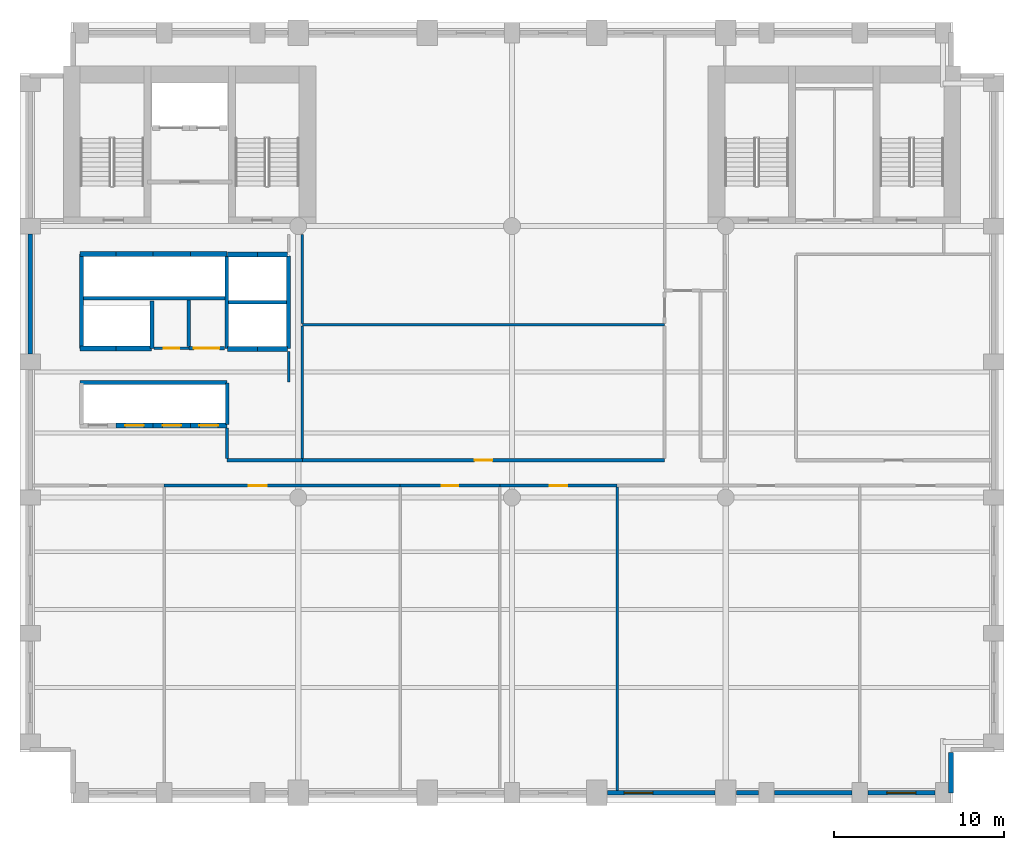
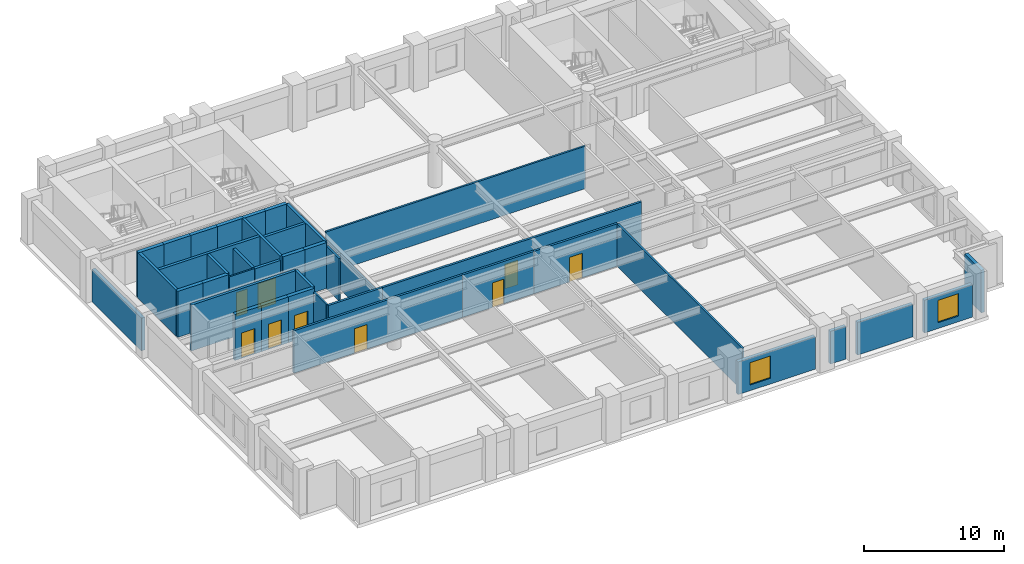
# One storey, part 3 of 8: 41 walls, 9 doors, 2 windows, 11 openings.
"""IFC4 building model written with IfcOpenShell, lengths in metres."""

from ifc_helpers import new_model, si_unit, direction, frame, frame_2d, origin, place, context, subcontext, project, spatial, rectangle, extrude, material, layer, layer_set, type_object, element, fill, save


model = new_model("IFC4")

# Units and contexts
model_context = context("Model", 3, precision=1e-05, world=origin(), true_north=direction((0.0, 1.0)))
body_context = subcontext(model_context, "Body", "Model", "MODEL_VIEW")
ifc_project = project(units=[si_unit("LENGTHUNIT", "METRE"), si_unit("AREAUNIT", "SQUARE_METRE"), si_unit("VOLUMEUNIT", "CUBIC_METRE"), si_unit("PLANEANGLEUNIT", "RADIAN"), si_unit("MASSUNIT", "GRAM", prefix="KILO")], contexts=[model_context])

# Site, building, storey
site_placement = place(None, origin())
site = spatial("IfcSite", under=ifc_project, at=site_placement, CompositionType="ELEMENT")
building_placement = place(site_placement, origin())
building = spatial("IfcBuilding", under=site, at=building_placement, Name="Sulina Concourse Tower", CompositionType="ELEMENT")
storey_placement = place(building_placement, frame((0.0, 0.0, 70.60009765625)))
storey = spatial("IfcBuildingStorey", under=building, at=storey_placement, Name="L17", CompositionType="ELEMENT", Elevation=70.60009765625)

# Walls
ifc_material_1 = material(Name="Concrete C50/60", Category="concrete")
ifc_layer_1 = layer(ifc_material_1, 0.219970703125)
ifc_layer_set_1 = layer_set([ifc_layer_1], Name="Concrete C50/60")
wall_type_1 = type_object("IfcWallType", Name="Core Lift Hoistway Divider Wall 220mm", PredefinedType="SOLIDWALL", material=ifc_layer_set_1)
wall_1_placement = place(storey_placement, frame((3.550048828125, 29.75, 0.0), z_axis=(0.0, 0.0, 1.0), x_axis=(1.0, 0.0, 0.0)))
element("IfcWall", 1, at=wall_1_placement, inside=storey, type_object=wall_type_1, Name="L17 shaft divider wall HW-LP3-S", PredefinedType="SOLIDWALL", context=body_context, shape_type="SweptSolid", body=[
    extrude(rectangle(XDim=8.64990234375, YDim=0.219970703125, at=frame_2d((4.324951171875, 0.0))), origin(), (0.0, 0.0, 1.0), 4.0),
])
wall_2_placement = place(storey_placement, frame((3.6298828125, 26.800048828125, 0.0), z_axis=(0.0, 0.0, 1.0), x_axis=(0.0, 1.0, 0.0)))
element("IfcWall", 2, at=wall_2_placement, inside=storey, type_object=wall_type_1, Name="L17 shaft divider wall HW-LP3-W", PredefinedType="SOLIDWALL", context=body_context, shape_type="SweptSolid", body=[
    extrude(rectangle(XDim=5.550048828125, YDim=0.219970703125, at=frame_2d((2.77490234375, 0.0))), origin(), (0.0, 0.0, 1.0), 4.0),
])
wall_3_placement = place(storey_placement, frame((7.780029296875, 26.800048828125, 0.0), z_axis=(0.0, 0.0, 1.0), x_axis=(0.0, 1.0, 0.0)))
element("IfcWall", 3, at=wall_3_placement, inside=storey, type_object=wall_type_1, Name="L17 shaft divider wall HW-EXP-E", PredefinedType="SOLIDWALL", context=body_context, shape_type="SweptSolid", body=[
    extrude(rectangle(XDim=2.800048828125, YDim=0.219970703125, at=frame_2d((1.39990234375, 0.0))), origin(), (0.0, 0.0, 1.0), 4.0),
])
for number, where, z_axis, x_axis, name in (
    (4, (12.179931640625, 26.800048828125, 0.0), (0.0, 0.0, 1.0), (0.0, 1.0, 0.0), "L17 shaft divider wall HW-LP2-W"),
    (5, (15.820068359375, 26.800048828125, 0.0), (0.0, 0.0, 1.0), (0.0, 1.0, 0.0), "L17 shaft divider wall HW-LP2-E"),
):
    element("IfcWall", number, at=place(storey_placement, frame(where, z_axis=z_axis, x_axis=x_axis)), inside=storey, type_object=wall_type_1, Name=name, PredefinedType="SOLIDWALL", context=body_context, shape_type="SweptSolid", body=[
        extrude(rectangle(XDim=5.449951171875, YDim=0.219970703125, at=frame_2d((2.72509765625, 0.0))), origin(), (0.0, 0.0, 1.0), 4.0),
    ])
wall_4_placement = place(storey_placement, frame((12.300048828125, 29.52001953125, 0.0), z_axis=(0.0, 0.0, 1.0), x_axis=(1.0, 0.0, 0.0)))
element("IfcWall", 6, at=wall_4_placement, inside=storey, type_object=wall_type_1, Name="L17 shaft divider wall HW-LP2-M", PredefinedType="SOLIDWALL", context=body_context, shape_type="SweptSolid", body=[
    extrude(rectangle(XDim=3.39990234375, YDim=0.219970703125, at=frame_2d((1.699951171875, 0.0))), origin(), (0.0, 0.0, 1.0), 4.0),
])
wall_5_placement = place(storey_placement, frame((3.550048828125, 24.780029296875, 0.0), z_axis=(0.0, 0.0, 1.0), x_axis=(1.0, 0.0, 0.0)))
element("IfcWall", 7, at=wall_5_placement, inside=storey, type_object=wall_type_1, Name="L17 shaft divider wall HW-LP1-N", PredefinedType="SOLIDWALL", context=body_context, shape_type="SweptSolid", body=[
    extrude(rectangle(XDim=8.64990234375, YDim=0.219970703125, at=frame_2d((4.324951171875, 0.0))), origin(), (0.0, 0.0, 1.0), 4.0),
])
wall_6_placement = place(storey_placement, frame((12.219970703125, 22.300048828125, 0.0), z_axis=(0.0, 0.0, 1.0), x_axis=(0.0, 1.0, 0.0)))
element("IfcWall", 8, at=wall_6_placement, inside=storey, type_object=wall_type_1, Name="L17 shaft divider wall HW-LP1-E", PredefinedType="SOLIDWALL", context=body_context, shape_type="SweptSolid", body=[
    extrude(rectangle(XDim=2.449951171875, YDim=0.219970703125, at=frame_2d((1.22509765625, 0.0))), origin(), (0.0, 0.0, 1.0), 4.0),
])

# Wall, opening, door
ifc_material_2 = material(Name="Concrete C50/60", Category="concrete")
ifc_layer_2 = layer(ifc_material_2, 0.300048828125)
ifc_layer_set_2 = layer_set([ifc_layer_2], Name="Concrete C50/60")
wall_type_2 = type_object("IfcWallType", Name="Core Lift Hoistway Wall 300mm", PredefinedType="SOLIDWALL", material=ifc_layer_set_2)
wall_7_placement = place(storey_placement, frame((7.85009765625, 22.25, 0.0), z_axis=(0.0, 0.0, 1.0), x_axis=(-1.0, 0.0, 0.0)))
wall_7 = element("IfcWall", 9, at=wall_7_placement, inside=storey, type_object=wall_type_2, Name="L17 hoistway enclosure wall LP-02", PredefinedType="SOLIDWALL", context=body_context, shape_type="SweptSolid", body=[
    extrude(rectangle(XDim=2.2001953125, YDim=0.300048828125, at=frame_2d((1.10009765625, 0.0))), origin(), (0.0, 0.0, 1.0), 4.0),
])
opening_1_placement = place(wall_7_placement, frame((0.550048828125, 0.0, 0.0)))
opening_1 = element("IfcOpeningElement", 10, at=opening_1_placement, cuts=wall_7, Name="Opening LD-01", PredefinedType="OPENING", context=body_context, shape_type="SweptSolid", body=[
    extrude(rectangle(XDim=1.10009765625, YDim=2.199951171875, at=frame_2d((0.550048828125, 1.10009765625))), frame((0.0, 0.159912109375, 0.0), z_axis=(0.0, -1.0, 0.0), x_axis=(1.0, 0.0, 0.0)), (0.0, 0.0, 1.0), 0.320068359375),
])
ifc_material_3 = material(Name="Stainless steel lift landing door", Category="steel")
ifc_layer_3 = layer(ifc_material_3, 0.050048828125)
ifc_layer_set_3 = layer_set([ifc_layer_3], Name="Stainless steel lift landing door")
door_type_1 = type_object("IfcDoorType", Name="Passenger Lift Sliding Landing Door 1100x2200", OperationType="SLIDING_TO_LEFT", PredefinedType="DOOR", material=ifc_layer_set_3)
door_1_placement = place(opening_1_placement, origin())
door_1 = element("IfcDoor", 11, at=door_1_placement, inside=storey, type_object=door_type_1, Name="L17 lift landing sliding door LP-02", OperationType="SLIDING_TO_RIGHT", OverallHeight=2.199951171875, OverallWidth=1.10009765625, PredefinedType="DOOR", context=body_context, shape_type="SweptSolid", body=[
    extrude(rectangle(XDim=1.10009765625, YDim=2.199951171875, at=frame_2d((0.550048828125, 1.10009765625))), frame((0.0, 0.02490234375, 0.0), z_axis=(0.0, -1.0, 0.0), x_axis=(1.0, 0.0, 0.0)), (0.0, 0.0, 1.0), 0.050048828125),
])
fill(opening_1, door_1)

wall_8_placement = place(storey_placement, frame((10.050048828125, 22.25, 0.0), z_axis=(0.0, 0.0, 1.0), x_axis=(-1.0, 0.0, 0.0)))
wall_8 = element("IfcWall", 12, at=wall_8_placement, inside=storey, type_object=wall_type_2, Name="L17 hoistway enclosure wall LP-03", PredefinedType="SOLIDWALL", context=body_context, shape_type="SweptSolid", body=[
    extrude(rectangle(XDim=2.199951171875, YDim=0.300048828125, at=frame_2d((1.10009765625, 0.0))), origin(), (0.0, 0.0, 1.0), 4.0),
])
opening_2_placement = place(wall_8_placement, frame((0.550048828125, 0.0, 0.0)))
opening_2 = element("IfcOpeningElement", 13, at=opening_2_placement, cuts=wall_8, Name="Opening LD-01", PredefinedType="OPENING", context=body_context, shape_type="SweptSolid", body=[
    extrude(rectangle(XDim=1.10009765625, YDim=2.199951171875, at=frame_2d((0.550048828125, 1.10009765625))), frame((0.0, 0.159912109375, 0.0), z_axis=(0.0, -1.0, 0.0), x_axis=(1.0, 0.0, 0.0)), (0.0, 0.0, 1.0), 0.320068359375),
])
door_2_placement = place(opening_2_placement, origin())
door_2 = element("IfcDoor", 14, at=door_2_placement, inside=storey, type_object=door_type_1, Name="L17 lift landing sliding door LP-03", OperationType="SLIDING_TO_LEFT", OverallHeight=2.199951171875, OverallWidth=1.10009765625, PredefinedType="DOOR", context=body_context, shape_type="SweptSolid", body=[
    extrude(rectangle(XDim=1.10009765625, YDim=2.199951171875, at=frame_2d((0.550048828125, 1.10009765625))), frame((0.0, 0.02490234375, 0.0), z_axis=(0.0, -1.0, 0.0), x_axis=(1.0, 0.0, 0.0)), (0.0, 0.0, 1.0), 0.050048828125),
])
fill(opening_2, door_2)

wall_9_placement = place(storey_placement, frame((12.199951171875, 22.25, 0.0), z_axis=(0.0, 0.0, 1.0), x_axis=(-1.0, 0.0, 0.0)))
wall_9 = element("IfcWall", 15, at=wall_9_placement, inside=storey, type_object=wall_type_2, Name="L17 hoistway enclosure wall LP-04", PredefinedType="SOLIDWALL", context=body_context, shape_type="SweptSolid", body=[
    extrude(rectangle(XDim=2.14990234375, YDim=0.300048828125, at=frame_2d((1.074951171875, 0.0))), origin(), (0.0, 0.0, 1.0), 4.0),
])
opening_3_placement = place(wall_9_placement, frame((0.52490234375, 0.0, 0.0)))
opening_3 = element("IfcOpeningElement", 16, at=opening_3_placement, cuts=wall_9, Name="Opening LD-01", PredefinedType="OPENING", context=body_context, shape_type="SweptSolid", body=[
    extrude(rectangle(XDim=1.10009765625, YDim=2.199951171875, at=frame_2d((0.550048828125, 1.10009765625))), frame((0.0, 0.159912109375, 0.0), z_axis=(0.0, -1.0, 0.0), x_axis=(1.0, 0.0, 0.0)), (0.0, 0.0, 1.0), 0.320068359375),
])
door_3_placement = place(opening_3_placement, origin())
door_3 = element("IfcDoor", 17, at=door_3_placement, inside=storey, type_object=door_type_1, Name="L17 lift landing sliding door LP-04", OperationType="SLIDING_TO_RIGHT", OverallHeight=2.199951171875, OverallWidth=1.10009765625, PredefinedType="DOOR", context=body_context, shape_type="SweptSolid", body=[
    extrude(rectangle(XDim=1.10009765625, YDim=2.199951171875, at=frame_2d((0.550048828125, 1.10009765625))), frame((0.0, 0.02490234375, 0.0), z_axis=(0.0, -1.0, 0.0), x_axis=(1.0, 0.0, 0.0)), (0.0, 0.0, 1.0), 0.050048828125),
])
fill(opening_3, door_3)

# Walls
for number, where, z_axis, x_axis, name in (
    (18, (14.0, 26.75, 0.0), (0.0, 0.0, 1.0), (-1.0, 0.0, 0.0), "L17 hoistway enclosure wall LP-05"),
    (19, (15.780029296875, 26.75, 0.0), (0.0, 0.0, 1.0), (-1.0, 0.0, 0.0), "L17 hoistway enclosure wall LP-06"),
    (20, (12.219970703125, 32.320068359375, 0.0), (0.0, 0.0, 1.0), (1.0, 0.0, 0.0), "L17 hoistway enclosure wall LP-07"),
    (21, (14.0, 32.320068359375, 0.0), (0.0, 0.0, 1.0), (1.0, 0.0, 0.0), "L17 hoistway enclosure wall LP-08"),
):
    element("IfcWall", number, at=place(storey_placement, frame(where, z_axis=z_axis, x_axis=x_axis)), inside=storey, type_object=wall_type_2, Name=name, PredefinedType="SOLIDWALL", context=body_context, shape_type="SweptSolid", body=[
        extrude(rectangle(XDim=1.780029296875, YDim=0.300048828125, at=frame_2d((0.89013671875, 0.0))), origin(), (0.0, 0.0, 1.0), 4.0),
    ])
wall_10_placement = place(storey_placement, frame((3.550048828125, 32.35009765625, 0.0), z_axis=(0.0, 0.0, 1.0), x_axis=(1.0, 0.0, 0.0)))
element("IfcWall", 22, at=wall_10_placement, inside=storey, type_object=wall_type_2, Name="L17 hoistway enclosure wall LP-09", PredefinedType="SOLIDWALL", context=body_context, shape_type="SweptSolid", body=[
    extrude(rectangle(XDim=2.099853515625, YDim=0.300048828125, at=frame_2d((1.0498046875, 0.0))), origin(), (0.0, 0.0, 1.0), 4.0),
])
wall_11_placement = place(storey_placement, frame((5.64990234375, 32.35009765625, 0.0), z_axis=(0.0, 0.0, 1.0), x_axis=(1.0, 0.0, 0.0)))
element("IfcWall", 23, at=wall_11_placement, inside=storey, type_object=wall_type_2, Name="L17 hoistway enclosure wall LP-10", PredefinedType="SOLIDWALL", context=body_context, shape_type="SweptSolid", body=[
    extrude(rectangle(XDim=2.2001953125, YDim=0.300048828125, at=frame_2d((1.10009765625, 0.0))), origin(), (0.0, 0.0, 1.0), 4.0),
])
wall_12_placement = place(storey_placement, frame((7.85009765625, 32.35009765625, 0.0), z_axis=(0.0, 0.0, 1.0), x_axis=(1.0, 0.0, 0.0)))
element("IfcWall", 24, at=wall_12_placement, inside=storey, type_object=wall_type_2, Name="L17 hoistway enclosure wall LP-11", PredefinedType="SOLIDWALL", context=body_context, shape_type="SweptSolid", body=[
    extrude(rectangle(XDim=2.199951171875, YDim=0.300048828125, at=frame_2d((1.10009765625, 0.0))), origin(), (0.0, 0.0, 1.0), 4.0),
])
wall_13_placement = place(storey_placement, frame((10.050048828125, 32.35009765625, 0.0), z_axis=(0.0, 0.0, 1.0), x_axis=(1.0, 0.0, 0.0)))
element("IfcWall", 25, at=wall_13_placement, inside=storey, type_object=wall_type_2, Name="L17 hoistway enclosure wall LP-12", PredefinedType="SOLIDWALL", context=body_context, shape_type="SweptSolid", body=[
    extrude(rectangle(XDim=2.14990234375, YDim=0.300048828125, at=frame_2d((1.074951171875, 0.0))), origin(), (0.0, 0.0, 1.0), 4.0),
])
wall_14_placement = place(storey_placement, frame((5.64990234375, 26.780029296875, 0.0), z_axis=(0.0, 0.0, 1.0), x_axis=(-1.0, 0.0, 0.0)))
element("IfcWall", 26, at=wall_14_placement, inside=storey, type_object=wall_type_2, Name="L17 hoistway enclosure wall EXP-1", PredefinedType="SOLIDWALL", context=body_context, shape_type="SweptSolid", body=[
    extrude(rectangle(XDim=2.099853515625, YDim=0.300048828125, at=frame_2d((1.0498046875, 0.0))), origin(), (0.0, 0.0, 1.0), 4.0),
])
wall_15_placement = place(storey_placement, frame((7.75, 26.780029296875, 0.0), z_axis=(0.0, 0.0, 1.0), x_axis=(-1.0, 0.0, 0.0)))
element("IfcWall", 27, at=wall_15_placement, inside=storey, type_object=wall_type_2, Name="L17 hoistway enclosure wall EXP-2", PredefinedType="SOLIDWALL", context=body_context, shape_type="SweptSolid", body=[
    extrude(rectangle(XDim=2.10009765625, YDim=0.300048828125, at=frame_2d((1.050048828125, 0.0))), origin(), (0.0, 0.0, 1.0), 4.0),
])

# Wall, opening, door
ifc_material_4 = material(Name="Gypsum board on steel stud", Category="steel")
ifc_layer_4 = layer(ifc_material_4, 0.219970703125)
ifc_layer_set_4 = layer_set([ifc_layer_4], Name="Gypsum board on steel stud")
wall_type_3 = type_object("IfcWallType", Name="Fire-Rated Lobby & Compartment Wall 220mm", PredefinedType="PARTITIONING", material=ifc_layer_set_4)
wall_16_placement = place(storey_placement, frame((9.949951171875, 26.800048828125, 0.0), z_axis=(0.0, 0.0, 1.0), x_axis=(1.0, 0.0, 0.0)))
wall_16 = element("IfcWall", 28, at=wall_16_placement, inside=storey, type_object=wall_type_3, Name="L17 interior partition 012", PredefinedType="PARTITIONING", context=body_context, shape_type="SweptSolid", body=[
    extrude(rectangle(XDim=2.10009765625, YDim=0.219970703125, at=frame_2d((1.050048828125, 0.0))), origin(), (0.0, 0.0, 1.0), 3.699951171875),
])
opening_4_placement = place(wall_16_placement, frame((0.300048828125, 0.0, 0.0)))
opening_4 = element("IfcOpeningElement", 29, at=opening_4_placement, cuts=wall_16, Name="Opening DR-80", PredefinedType="OPENING", context=body_context, shape_type="SweptSolid", body=[
    extrude(rectangle(XDim=1.5, YDim=2.25, at=frame_2d((0.75, 1.125))), frame((0.0, 0.119873046875, 0.0), z_axis=(0.0, -1.0, 0.0), x_axis=(1.0, 0.0, 0.0)), (0.0, 0.0, 1.0), 0.239990234375),
])
ifc_material_5 = material(Name="Galvanised steel acoustic fire leaf", Category="steel")
ifc_layer_5 = layer(ifc_material_5, 0.054931640625)
ifc_layer_set_5 = layer_set([ifc_layer_5], Name="Galvanised steel acoustic fire leaf")
door_type_2 = type_object("IfcDoorType", Name="Mechanical Plant Double Fire Door 1500x2250", OperationType="DOUBLE_DOOR_SINGLE_SWING", PredefinedType="DOOR", material=ifc_layer_set_5)
door_4_placement = place(opening_4_placement, origin())
door_4 = element("IfcDoor", 30, at=door_4_placement, inside=storey, type_object=door_type_2, Name="L17 interior door L17-IT-IDF", OperationType="DOUBLE_DOOR_SINGLE_SWING", OverallHeight=2.25, OverallWidth=1.5, PredefinedType="DOOR", context=body_context, shape_type="SweptSolid", body=[
    extrude(rectangle(XDim=1.5, YDim=2.25, at=frame_2d((0.75, 1.125))), frame((0.0, 0.02490234375, 0.0), z_axis=(0.0, -1.0, 0.0), x_axis=(1.0, 0.0, 0.0)), (0.0, 0.0, 1.0), 0.050048828125),
])
fill(opening_4, door_4)

# Walls
wall_17_placement = place(storey_placement, frame((9.949951171875, 26.909912109375, 0.0), z_axis=(0.0, 0.0, 1.0), x_axis=(0.0, 1.0, 0.0)))
element("IfcWall", 31, at=wall_17_placement, inside=storey, type_object=wall_type_3, Name="L17 interior partition 022", PredefinedType="PARTITIONING", context=body_context, shape_type="SweptSolid", body=[
    extrude(rectangle(XDim=2.72998046875, YDim=0.219970703125, at=frame_2d((1.364990234375, 0.0))), origin(), (0.0, 0.0, 1.0), 3.699951171875),
])
ifc_material_6 = material(Name="Gypsum board on steel stud", Category="steel")
ifc_layer_6 = layer(ifc_material_6, 0.14990234375)
ifc_layer_set_6 = layer_set([ifc_layer_6], Name="Gypsum board on steel stud")
wall_type_4 = type_object("IfcWallType", Name="Inter-Tenancy Acoustic Partition 150mm", PredefinedType="PARTITIONING", material=ifc_layer_set_6)
wall_18_placement = place(storey_placement, frame((16.64990234375, 28.199951171875, 0.0), z_axis=(0.0, 0.0, 1.0), x_axis=(1.0, 0.0, 0.0)))
element("IfcWall", 32, at=wall_18_placement, inside=storey, type_object=wall_type_4, Name="L17 interior partition 013", PredefinedType="PARTITIONING", context=body_context, shape_type="SweptSolid", body=[
    extrude(rectangle(XDim=21.35009765625, YDim=0.14990234375, at=frame_2d((10.675048828125, 0.0))), origin(), (0.0, 0.0, 1.0), 3.699951171875),
])
wall_19_placement = place(storey_placement, frame((12.199951171875, 20.2900390625, 0.0), z_axis=(0.0, 0.0, 1.0), x_axis=(0.0, 1.0, 0.0)))
element("IfcWall", 33, at=wall_19_placement, inside=storey, type_object=wall_type_4, Name="L17 interior partition 023", PredefinedType="PARTITIONING", context=body_context, shape_type="SweptSolid", body=[
    extrude(rectangle(XDim=1.81005859375, YDim=0.14990234375, at=frame_2d((0.905029296875, 0.0))), origin(), (0.0, 0.0, 1.0), 3.699951171875),
])
wall_20_placement = place(storey_placement, frame((15.85009765625, 24.800048828125, 0.0), z_axis=(0.0, 0.0, 1.0), x_axis=(0.0, 1.0, 0.0)))
element("IfcWall", 34, at=wall_20_placement, inside=storey, type_object=wall_type_4, Name="L17 interior partition 024", PredefinedType="PARTITIONING", context=body_context, shape_type="SweptSolid", body=[
    extrude(rectangle(XDim=1.800048828125, YDim=0.14990234375, at=frame_2d((0.89990234375, 0.0))), origin(), (0.0, 0.0, 1.0), 3.699951171875),
])
wall_21_placement = place(storey_placement, frame((16.64990234375, 20.2900390625, 0.0), z_axis=(0.0, 0.0, 1.0), x_axis=(0.0, 1.0, 0.0)))
element("IfcWall", 35, at=wall_21_placement, inside=storey, type_object=wall_type_4, Name="L17 interior partition 026", PredefinedType="PARTITIONING", context=body_context, shape_type="SweptSolid", body=[
    extrude(rectangle(XDim=7.8349609375, YDim=0.14990234375, at=frame_2d((3.91748046875, 0.0))), origin(), (0.0, 0.0, 1.0), 2.994873046875),
])
wall_22_placement = place(storey_placement, frame((16.64990234375, 28.27490234375, 0.0), z_axis=(0.0, 0.0, 1.0), x_axis=(0.0, 1.0, 0.0)))
element("IfcWall", 36, at=wall_22_placement, inside=storey, type_object=wall_type_4, Name="L17 interior partition 027", PredefinedType="PARTITIONING", context=body_context, shape_type="SweptSolid", body=[
    extrude(rectangle(XDim=5.22509765625, YDim=0.14990234375, at=frame_2d((2.612548828125, 0.0))), origin(), (0.0, 0.0, 1.0), 2.994873046875),
])
wall_23_placement = place(storey_placement, frame((35.199951171875, 0.739990234375, 0.0), z_axis=(0.0, 0.0, 1.0), x_axis=(0.0, 1.0, 0.0)))
element("IfcWall", 37, at=wall_23_placement, inside=storey, type_object=wall_type_4, Name="L17 interior partition 030", PredefinedType="PARTITIONING", context=body_context, shape_type="SweptSolid", body=[
    extrude(rectangle(XDim=17.8701171875, YDim=0.14990234375, at=frame_2d((8.93505859375, 0.0))), origin(), (0.0, 0.0, 1.0), 3.699951171875),
])

# Wall, opening, door
ifc_material_7 = material(Name="Gypsum board on steel stud", Category="steel")
ifc_layer_7 = layer(ifc_material_7, 0.179931640625)
ifc_layer_set_7 = layer_set([ifc_layer_7], Name="Gypsum board on steel stud")
wall_type_5 = type_object("IfcWallType", Name="Protected Corridor & Riser Partition 180mm", PredefinedType="PARTITIONING", material=ifc_layer_set_7)
wall_24_placement = place(storey_placement, frame((8.5, 18.699951171875, 0.0), z_axis=(0.0, 0.0, 1.0), x_axis=(1.0, 0.0, 0.0)))
wall_24 = element("IfcWall", 38, at=wall_24_placement, inside=storey, type_object=wall_type_5, Name="L17 interior partition 002", PredefinedType="PARTITIONING", context=body_context, shape_type="SweptSolid", body=[
    extrude(rectangle(XDim=13.89990234375, YDim=0.179931640625, at=frame_2d((6.949951171875, 0.0))), origin(), (0.0, 0.0, 1.0), 3.699951171875),
])
opening_5_placement = place(wall_24_placement, frame((4.985107421875, 0.0, 0.0)))
opening_5 = element("IfcOpeningElement", 39, at=opening_5_placement, cuts=wall_24, Name="Opening DR-37", PredefinedType="OPENING", context=body_context, shape_type="SweptSolid", body=[
    extrude(rectangle(XDim=1.050048828125, YDim=2.14990234375, at=frame_2d((0.52490234375, 1.074951171875))), frame((0.0, 0.099853515625, 0.0), z_axis=(0.0, -1.0, 0.0), x_axis=(1.0, 0.0, 0.0)), (0.0, 0.0, 1.0), 0.199951171875),
])
ifc_material_8 = material(Name="Oak-veneered fire door leaf")
ifc_layer_8 = layer(ifc_material_8, 0.050048828125)
ifc_layer_set_8 = layer_set([ifc_layer_8], Name="Oak-veneered fire door leaf")
door_type_3 = type_object("IfcDoorType", Name="Tenant Suite Entrance Fire Door 1050x2150", OperationType="NOTDEFINED", PredefinedType="DOOR", material=ifc_layer_set_8)
door_5_placement = place(opening_5_placement, origin())
door_5 = element("IfcDoor", 40, at=door_5_placement, inside=storey, type_object=door_type_3, Name="L17 interior door L17-S02", OperationType="SINGLE_SWING_RIGHT", OverallHeight=2.14990234375, OverallWidth=1.050048828125, PredefinedType="DOOR", context=body_context, shape_type="SweptSolid", body=[
    extrude(rectangle(XDim=1.050048828125, YDim=2.14990234375, at=frame_2d((0.52490234375, 1.074951171875))), frame((0.0, 0.02490234375, 0.0), z_axis=(0.0, -1.0, 0.0), x_axis=(1.0, 0.0, 0.0)), (0.0, 0.0, 1.0), 0.050048828125),
])
fill(opening_5, door_5)

wall_25_placement = place(storey_placement, frame((22.39990234375, 18.699951171875, 0.0), z_axis=(0.0, 0.0, 1.0), x_axis=(1.0, 0.0, 0.0)))
wall_25 = element("IfcWall", 41, at=wall_25_placement, inside=storey, type_object=wall_type_5, Name="L17 interior partition 003", PredefinedType="PARTITIONING", context=body_context, shape_type="SweptSolid", body=[
    extrude(rectangle(XDim=5.89013671875, YDim=0.179931640625, at=frame_2d((2.945068359375, 0.0))), origin(), (0.0, 0.0, 1.0), 3.699951171875),
])
opening_6_placement = place(wall_25_placement, frame((2.469970703125, 0.0, 0.0)))
opening_6 = element("IfcOpeningElement", 42, at=opening_6_placement, cuts=wall_25, Name="Opening DR-19", PredefinedType="OPENING", context=body_context, shape_type="SweptSolid", body=[
    extrude(rectangle(XDim=0.949951171875, YDim=2.14990234375, at=frame_2d((0.47509765625, 1.074951171875))), frame((0.0, 0.099853515625, 0.0), z_axis=(0.0, -1.0, 0.0), x_axis=(1.0, 0.0, 0.0)), (0.0, 0.0, 1.0), 0.199951171875),
])
ifc_material_9 = material(Name="Oak-veneered acoustic timber leaf", Category="wood")
ifc_layer_9 = layer(ifc_material_9, 0.050048828125)
ifc_layer_set_9 = layer_set([ifc_layer_9], Name="Oak-veneered acoustic timber leaf")
door_type_4 = type_object("IfcDoorType", Name="Cellular Office & Meeting Door 950x2150", OperationType="NOTDEFINED", PredefinedType="DOOR", material=ifc_layer_set_9)
door_6_placement = place(opening_6_placement, origin())
door_6 = element("IfcDoor", 43, at=door_6_placement, inside=storey, type_object=door_type_4, Name="L17 interior door L17-S03A", OperationType="SINGLE_SWING_LEFT", OverallHeight=2.14990234375, OverallWidth=0.949951171875, PredefinedType="DOOR", context=body_context, shape_type="SweptSolid", body=[
    extrude(rectangle(XDim=0.949951171875, YDim=2.14990234375, at=frame_2d((0.47509765625, 1.074951171875))), frame((0.0, 0.02490234375, 0.0), z_axis=(0.0, -1.0, 0.0), x_axis=(1.0, 0.0, 0.0)), (0.0, 0.0, 1.0), 0.050048828125),
])
fill(opening_6, door_6)

wall_26_placement = place(storey_placement, frame((28.2900390625, 18.699951171875, 0.0), z_axis=(0.0, 0.0, 1.0), x_axis=(1.0, 0.0, 0.0)))
wall_26 = element("IfcWall", 44, at=wall_26_placement, inside=storey, type_object=wall_type_5, Name="L17 interior partition 004", PredefinedType="PARTITIONING", context=body_context, shape_type="SweptSolid", body=[
    extrude(rectangle(XDim=6.909912109375, YDim=0.179931640625, at=frame_2d((3.455078125, 0.0))), origin(), (0.0, 0.0, 1.0), 3.699951171875),
])
opening_7_placement = place(wall_26_placement, frame((2.929931640625, 0.0, 0.0)))
opening_7 = element("IfcOpeningElement", 45, at=opening_7_placement, cuts=wall_26, Name="Opening DR-37", PredefinedType="OPENING", context=body_context, shape_type="SweptSolid", body=[
    extrude(rectangle(XDim=1.050048828125, YDim=2.14990234375, at=frame_2d((0.52490234375, 1.074951171875))), frame((0.0, 0.099853515625, 0.0), z_axis=(0.0, -1.0, 0.0), x_axis=(1.0, 0.0, 0.0)), (0.0, 0.0, 1.0), 0.199951171875),
])
door_7_placement = place(opening_7_placement, origin())
door_7 = element("IfcDoor", 46, at=door_7_placement, inside=storey, type_object=door_type_3, Name="L17 interior door L17-S03B", OperationType="SINGLE_SWING_RIGHT", OverallHeight=2.14990234375, OverallWidth=1.050048828125, PredefinedType="DOOR", context=body_context, shape_type="SweptSolid", body=[
    extrude(rectangle(XDim=1.050048828125, YDim=2.14990234375, at=frame_2d((0.52490234375, 1.074951171875))), frame((0.0, 0.02490234375, 0.0), z_axis=(0.0, -1.0, 0.0), x_axis=(1.0, 0.0, 0.0)), (0.0, 0.0, 1.0), 0.050048828125),
])
fill(opening_7, door_7)

# Wall
wall_27_placement = place(storey_placement, frame((12.199951171875, 20.199951171875, 0.0), z_axis=(0.0, 0.0, 1.0), x_axis=(1.0, 0.0, 0.0)))
element("IfcWall", 47, at=wall_27_placement, inside=storey, type_object=wall_type_5, Name="L17 interior partition 007", PredefinedType="PARTITIONING", context=body_context, shape_type="SweptSolid", body=[
    extrude(rectangle(XDim=4.449951171875, YDim=0.179931640625, at=frame_2d((2.22509765625, 0.0))), origin(), (0.0, 0.0, 1.0), 3.699951171875),
])

# Wall, opening, door
wall_28_placement = place(storey_placement, frame((16.64990234375, 20.199951171875, 0.0), z_axis=(0.0, 0.0, 1.0), x_axis=(1.0, 0.0, 0.0)))
wall_28 = element("IfcWall", 48, at=wall_28_placement, inside=storey, type_object=wall_type_5, Name="L17 interior partition 008", PredefinedType="PARTITIONING", context=body_context, shape_type="SweptSolid", body=[
    extrude(rectangle(XDim=21.35009765625, YDim=0.179931640625, at=frame_2d((10.675048828125, 0.0))), origin(), (0.0, 0.0, 1.0), 3.699951171875),
])
opening_8_placement = place(wall_28_placement, frame((10.14990234375, 0.0, 0.0)))
opening_8 = element("IfcOpeningElement", 49, at=opening_8_placement, cuts=wall_28, Name="Opening DR-37", PredefinedType="OPENING", context=body_context, shape_type="SweptSolid", body=[
    extrude(rectangle(XDim=1.050048828125, YDim=2.14990234375, at=frame_2d((0.52490234375, 1.074951171875))), frame((0.0, 0.099853515625, 0.0), z_axis=(0.0, -1.0, 0.0), x_axis=(1.0, 0.0, 0.0)), (0.0, 0.0, 1.0), 0.199951171875),
])
door_8_placement = place(opening_8_placement, origin())
door_8 = element("IfcDoor", 50, at=door_8_placement, inside=storey, type_object=door_type_3, Name="L17 interior door L17-NC1", OperationType="SINGLE_SWING_LEFT", OverallHeight=2.14990234375, OverallWidth=1.050048828125, PredefinedType="DOOR", context=body_context, shape_type="SweptSolid", body=[
    extrude(rectangle(XDim=1.050048828125, YDim=2.14990234375, at=frame_2d((0.52490234375, 1.074951171875))), frame((0.0, 0.02490234375, 0.0), z_axis=(0.0, -1.0, 0.0), x_axis=(1.0, 0.0, 0.0)), (0.0, 0.0, 1.0), 0.050048828125),
])
fill(opening_8, door_8)

# Wall, opening, window
ifc_material_10 = material(Name="Precast concrete C50/60", Category="concrete")
ifc_layer_10 = layer(ifc_material_10, 0.280029296875)
ifc_layer_set_10 = layer_set([ifc_layer_10], Name="Precast concrete C50/60")
wall_type_6 = type_object("IfcWallType", Name="Typical Precast Masonry-Frame Facade Wall 280mm", PredefinedType="SOLIDWALL", material=ifc_layer_set_10)
wall_29_placement = place(storey_placement, frame((40.97998046875, 0.60009765625, 0.0), z_axis=(0.0, 0.0, 1.0), x_axis=(-1.0, 0.0, 0.0)))
wall_29 = element("IfcWall", 51, at=wall_29_placement, inside=storey, type_object=wall_type_6, Name="L17 exterior precast wall S7", PredefinedType="SOLIDWALL", context=body_context, shape_type="SweptSolid", body=[
    extrude(rectangle(XDim=6.35986328125, YDim=0.280029296875, at=frame_2d((3.179931640625, 0.0))), origin(), (0.0, 0.0, 1.0), 2.849853515625),
])
opening_9_placement = place(wall_29_placement, frame((3.67333984375, 0.0, 0.5)))
opening_9 = element("IfcOpeningElement", 52, at=opening_9_placement, cuts=wall_29, Name="Opening WN-66", PredefinedType="OPENING", context=body_context, shape_type="SweptSolid", body=[
    extrude(rectangle(XDim=1.699951171875, YDim=1.949951171875, at=frame_2d((0.85009765625, 0.97509765625))), frame((0.0, 0.14990234375, 0.0), z_axis=(0.0, -1.0, 0.0), x_axis=(1.0, 0.0, 0.0)), (0.0, 0.0, 1.0), 0.300048828125),
])
ifc_material_11 = material(Name="Low-E solar double glazing in bronze aluminium", Category="aluminium")
window_type = type_object("IfcWindowType", Name="Recessed Spandrel Window 1700x1950", PartitioningType="SINGLE_PANEL", PredefinedType="WINDOW", material=ifc_material_11)
window_1_placement = place(opening_9_placement, origin())
window_1 = element("IfcWindow", 53, at=window_1_placement, inside=storey, type_object=window_type, Name="L17 punched window S7-1", OverallHeight=1.949951171875, OverallWidth=1.699951171875, PartitioningType="SINGLE_PANEL", PredefinedType="WINDOW", context=body_context, shape_type="SweptSolid", body=[
    extrude(rectangle(XDim=1.699951171875, YDim=1.949951171875, at=frame_2d((0.85009765625, 0.97509765625))), frame((0.0, 0.030029296875, 0.0), z_axis=(0.0, -1.0, 0.0), x_axis=(1.0, 0.0, 0.0)), (0.0, 0.0, 1.0), 0.06005859375),
])
fill(opening_9, window_1)

# Walls
wall_30_placement = place(storey_placement, frame((43.530029296875, 0.60009765625, 0.0), z_axis=(0.0, 0.0, 1.0), x_axis=(-1.0, 0.0, 0.0)))
element("IfcWall", 54, at=wall_30_placement, inside=storey, type_object=wall_type_6, Name="L17 exterior precast wall S8", PredefinedType="SOLIDWALL", context=body_context, shape_type="SweptSolid", body=[
    extrude(rectangle(XDim=1.31005859375, YDim=0.280029296875, at=frame_2d((0.655029296875, 0.0))), origin(), (0.0, 0.0, 1.0), 2.849853515625),
])
wall_31_placement = place(storey_placement, frame((49.030029296875, 0.60009765625, 0.0), z_axis=(0.0, 0.0, 1.0), x_axis=(-1.0, 0.0, 0.0)))
element("IfcWall", 55, at=wall_31_placement, inside=storey, type_object=wall_type_6, Name="L17 exterior precast wall S9", PredefinedType="SOLIDWALL", context=body_context, shape_type="SweptSolid", body=[
    extrude(rectangle(XDim=4.56005859375, YDim=0.280029296875, at=frame_2d((2.280029296875, 0.0))), origin(), (0.0, 0.0, 1.0), 2.849853515625),
])

# Wall, opening, window
wall_32_placement = place(storey_placement, frame((53.929931640625, 0.60009765625, 0.0), z_axis=(0.0, 0.0, 1.0), x_axis=(-1.0, 0.0, 0.0)))
wall_32 = element("IfcWall", 56, at=wall_32_placement, inside=storey, type_object=wall_type_6, Name="L17 exterior precast wall S10", PredefinedType="SOLIDWALL", context=body_context, shape_type="SweptSolid", body=[
    extrude(rectangle(XDim=3.9599609375, YDim=0.280029296875, at=frame_2d((1.97998046875, 0.0))), origin(), (0.0, 0.0, 1.0), 2.849853515625),
])
opening_10_placement = place(wall_32_placement, frame((1.1298828125, 0.0, 0.5)))
opening_10 = element("IfcOpeningElement", 57, at=opening_10_placement, cuts=wall_32, Name="Opening WN-66", PredefinedType="OPENING", context=body_context, shape_type="SweptSolid", body=[
    extrude(rectangle(XDim=1.699951171875, YDim=1.949951171875, at=frame_2d((0.85009765625, 0.97509765625))), frame((0.0, 0.14990234375, 0.0), z_axis=(0.0, -1.0, 0.0), x_axis=(1.0, 0.0, 0.0)), (0.0, 0.0, 1.0), 0.300048828125),
])
window_2_placement = place(opening_10_placement, origin())
window_2 = element("IfcWindow", 58, at=window_2_placement, inside=storey, type_object=window_type, Name="L17 punched window S10-1", OverallHeight=1.949951171875, OverallWidth=1.699951171875, PartitioningType="SINGLE_PANEL", PredefinedType="WINDOW", context=body_context, shape_type="SweptSolid", body=[
    extrude(rectangle(XDim=1.699951171875, YDim=1.949951171875, at=frame_2d((0.85009765625, 0.97509765625))), frame((0.0, 0.030029296875, 0.0), z_axis=(0.0, -1.0, 0.0), x_axis=(1.0, 0.0, 0.0)), (0.0, 0.0, 1.0), 0.06005859375),
])
fill(opening_10, window_2)

# Walls
wall_33_placement = place(storey_placement, frame((0.60009765625, 26.469970703125, 0.0), z_axis=(0.0, 0.0, 1.0), x_axis=(0.0, 1.0, 0.0)))
element("IfcWall", 59, at=wall_33_placement, inside=storey, type_object=wall_type_6, Name="L17 exterior precast wall W4", PredefinedType="SOLIDWALL", context=body_context, shape_type="SweptSolid", body=[
    extrude(rectangle(XDim=7.06005859375, YDim=0.280029296875, at=frame_2d((3.530029296875, 0.0))), origin(), (0.0, 0.0, 1.0), 2.849853515625),
])
wall_34_placement = place(storey_placement, frame((54.8701171875, 2.985107421875, 0.0), z_axis=(0.0, 0.0, 1.0), x_axis=(0.0, -1.0, 0.0)))
element("IfcWall", 60, at=wall_34_placement, inside=storey, type_object=wall_type_6, Name="L17 exterior precast wall CSE2", PredefinedType="SOLIDWALL", context=body_context, shape_type="SweptSolid", body=[
    extrude(rectangle(XDim=2.385009765625, YDim=0.280029296875, at=frame_2d((1.1923828125, 0.0))), origin(), (0.0, 0.0, 1.0), 3.699951171875),
])

# Wall, opening, door
ifc_material_12 = material(Name="Gypsum board on steel stud", Category="steel")
ifc_layer_11 = layer(ifc_material_12, 0.125)
ifc_layer_set_11 = layer_set([ifc_layer_11], Name="Gypsum board on steel stud")
wall_type_7 = type_object("IfcWallType", Name="Wet-Area Moisture-Resistant Partition 125mm", PredefinedType="PARTITIONING", material=ifc_layer_set_11)
wall_35_placement = place(storey_placement, frame((7.889892578125, 26.800048828125, 0.0), z_axis=(0.0, 0.0, 1.0), x_axis=(1.0, 0.0, 0.0)))
wall_35 = element("IfcWall", 61, at=wall_35_placement, inside=storey, type_object=wall_type_7, Name="L17 interior partition 011", PredefinedType="PARTITIONING", context=body_context, shape_type="SweptSolid", body=[
    extrude(rectangle(XDim=2.06005859375, YDim=0.125, at=frame_2d((1.030029296875, 0.0))), origin(), (0.0, 0.0, 1.0), 3.699951171875),
])
opening_11_placement = place(wall_35_placement, frame((0.570068359375, 0.0, 0.0)))
opening_11 = element("IfcOpeningElement", 62, at=opening_11_placement, cuts=wall_35, Name="Opening DR-61", PredefinedType="OPENING", context=body_context, shape_type="SweptSolid", body=[
    extrude(rectangle(XDim=0.919921875, YDim=2.10009765625, at=frame_2d((0.4599609375, 1.050048828125))), frame((0.0, 0.072509765625, 0.0), z_axis=(0.0, -1.0, 0.0), x_axis=(1.0, 0.0, 0.0)), (0.0, 0.0, 1.0), 0.14501953125),
])
ifc_material_13 = material(Name="Oak-veneered fire door leaf")
ifc_layer_12 = layer(ifc_material_13, 0.050048828125)
ifc_layer_set_12 = layer_set([ifc_layer_12], Name="Oak-veneered fire door leaf")
door_type_5 = type_object("IfcDoorType", Name="Accessible WC Door 920x2100", OperationType="NOTDEFINED", PredefinedType="DOOR", material=ifc_layer_set_12)
door_9_placement = place(opening_11_placement, origin())
door_9 = element("IfcDoor", 63, at=door_9_placement, inside=storey, type_object=door_type_5, Name="L17 interior door L17-WC-ACC", OperationType="SINGLE_SWING_LEFT", OverallHeight=2.10009765625, OverallWidth=0.919921875, PredefinedType="DOOR", context=body_context, shape_type="SweptSolid", body=[
    extrude(rectangle(XDim=0.919921875, YDim=2.10009765625, at=frame_2d((0.4599609375, 1.050048828125))), frame((0.0, 0.02490234375, 0.0), z_axis=(0.0, -1.0, 0.0), x_axis=(1.0, 0.0, 0.0)), (0.0, 0.0, 1.0), 0.050048828125),
])
fill(opening_11, door_9)

save(model, "model.ifc")
